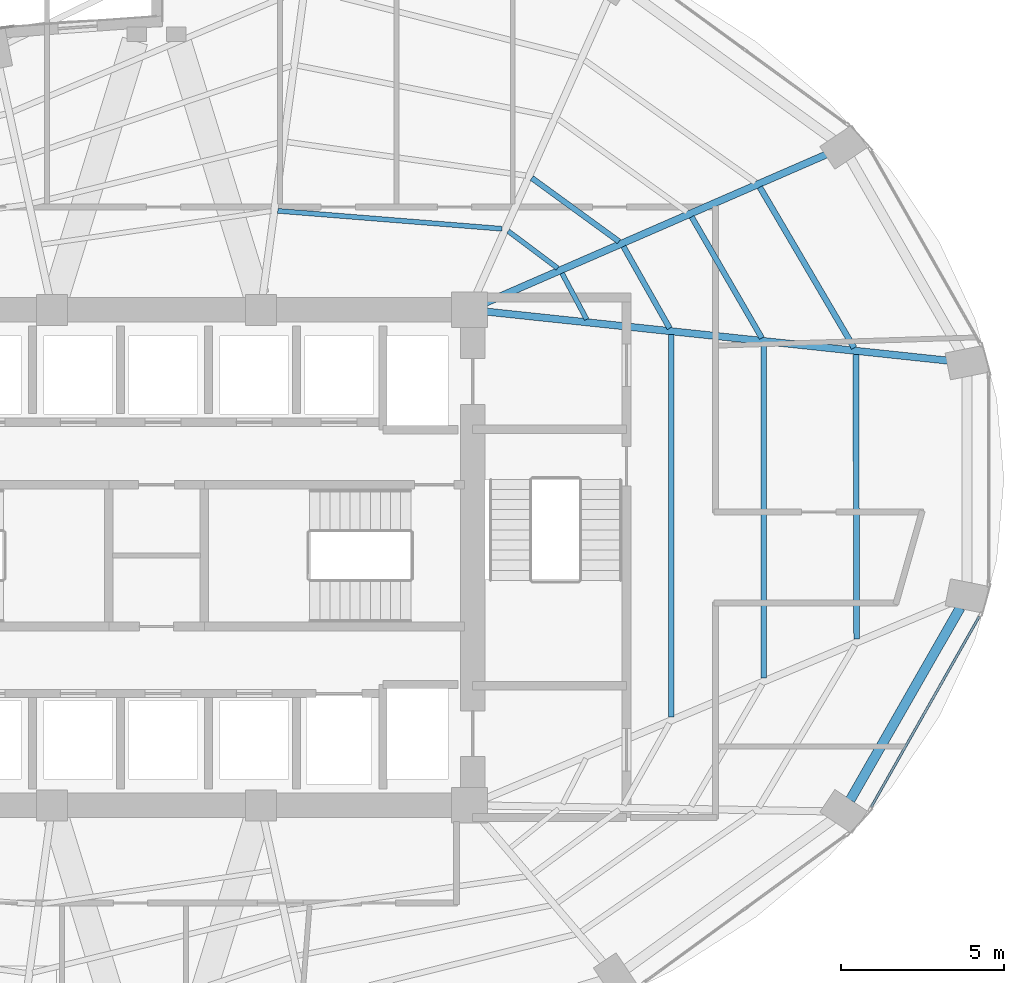
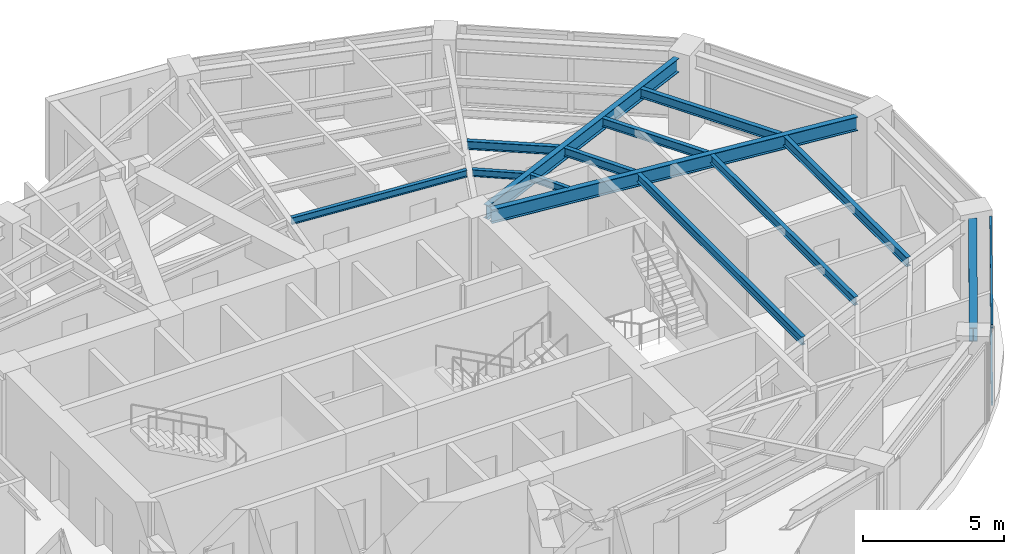
# One storey, part 12 of 23: 13 beams, 2 members, 1 element without a shape of its own.
"""IFC4 building model written with IfcOpenShell, lengths in metres."""

from ifc_helpers import new_model, si_unit, direction, frame, origin, origin_2d, place, context, subcontext, project, spatial, hollow_rectangle, i_section, extrude, material, layer, layer_set, material_profile, profile_set, type_object, element, aggregate, save


model = new_model("IFC4")

# Units and contexts
model_context = context("Model", 3, precision=1e-05, world=origin(), true_north=direction((0.0, 1.0)))
body_context = subcontext(model_context, "Body", "Model", "MODEL_VIEW")
ifc_project = project(units=[si_unit("LENGTHUNIT", "METRE"), si_unit("AREAUNIT", "SQUARE_METRE"), si_unit("VOLUMEUNIT", "CUBIC_METRE"), si_unit("PLANEANGLEUNIT", "RADIAN"), si_unit("MASSUNIT", "GRAM", prefix="KILO")], contexts=[model_context])

# Site, building, storey
site_placement = place(None, origin())
site = spatial("IfcSite", under=ifc_project, at=site_placement, CompositionType="ELEMENT")
building_placement = place(site_placement, origin())
building = spatial("IfcBuilding", under=site, at=building_placement, Name="Lazwardi Medical Tower", CompositionType="ELEMENT")
storey_placement = place(building_placement, frame((0.0, 0.0, 81.743896484375)))
storey = spatial("IfcBuildingStorey", under=building, at=storey_placement, Name="L20", CompositionType="ELEMENT", Elevation=81.743896484375)

# Beams
ifc_material_1 = material(Name="Steel S355", Category="steel")
ifc_material_profile_1 = material_profile(ifc_material_1, i_section(OverallWidth=0.300048828125, OverallDepth=0.60009765625, WebThickness=0.015380859375, FlangeThickness=0.030029296875, at=origin_2d()), Name="HEB 600")
ifc_profile_set_1 = profile_set([ifc_material_profile_1], Name="Steel S355")
beam_type_1 = type_object("IfcBeamType", Name="BM-RB-Z2", PredefinedType="BEAM", material=ifc_profile_set_1)
beam_1_placement = place(storey_placement, frame((57.281494140625, 20.561279296875, 3.128173828125), z_axis=(0.496653025517, 0.867949176072, 0.0), x_axis=(-0.867949176072, 0.496653025517, 0.0)))
element("IfcBeam", 1, at=beam_1_placement, inside=storey, type_object=beam_type_1, Name="Ring beam RB-03 B03 L20", PredefinedType="BEAM", context=body_context, shape_type="SweptSolid", body=[
    extrude(i_section(OverallWidth=0.300048828125, OverallDepth=0.60009765625, WebThickness=0.015380859375, FlangeThickness=0.030029296875, at=origin_2d()), origin(), (0.0, 0.0, 1.0), 6.80078125),
])
ifc_material_profile_2 = material_profile(ifc_material_1, i_section(OverallWidth=0.219970703125, OverallDepth=0.60009765625, WebThickness=0.011962890625, FlangeThickness=0.01904296875, at=origin_2d()), Name="IPE 600")
ifc_profile_set_2 = profile_set([ifc_material_profile_2], Name="Steel S355")
beam_type_2 = type_object("IfcBeamType", Name="BM-RG-W1", PredefinedType="BEAM", material=ifc_profile_set_2)
beam_2_placement = place(storey_placement, frame((60.2861328125, 34.041015625, 3.128173828125), z_axis=(-0.994413340753, 0.10555618282, 0.0), x_axis=(-0.10555618282, -0.994413340753, 0.0)))
element("IfcBeam", 2, at=beam_2_placement, inside=storey, type_object=beam_type_2, Name="Radial girder RG-02 R05 L20", PredefinedType="BEAM", context=body_context, shape_type="SweptSolid", body=[
    extrude(i_section(OverallWidth=0.219970703125, OverallDepth=0.60009765625, WebThickness=0.011962890625, FlangeThickness=0.01904296875, at=origin_2d()), origin(), (0.0, 0.0, 1.0), 14.233642578125),
])
beam_3_placement = place(storey_placement, frame((56.5458984375, 40.36328125, 3.128173828125), z_axis=(-0.916941336121, -0.399022037127, 0.0), x_axis=(0.399022037127, -0.916941336121, 0.0)))
element("IfcBeam", 3, at=beam_3_placement, inside=storey, type_object=beam_type_2, Name="Radial girder RG-02 R06 L20", PredefinedType="BEAM", context=body_context, shape_type="SweptSolid", body=[
    extrude(i_section(OverallWidth=0.219970703125, OverallDepth=0.60009765625, WebThickness=0.011962890625, FlangeThickness=0.01904296875, at=origin_2d()), origin(), (0.0, 0.0, 1.0), 11.40234375),
])
ifc_material_profile_3 = material_profile(ifc_material_1, i_section(OverallWidth=0.179931640625, OverallDepth=0.39990234375, WebThickness=0.008544921875, FlangeThickness=0.013427734375, at=origin_2d()), Name="IPE 400")
ifc_profile_set_3 = profile_set([ifc_material_profile_3], Name="Steel S355")
beam_type_3 = type_object("IfcBeamType", Name="BM-SJ-01", PredefinedType="JOIST", material=ifc_profile_set_3)
beam_4_placement = place(storey_placement, frame((57.48095703125, 25.502685546875, 3.22802734375), z_axis=(-0.002907126978, 0.999995774297, 0.0), x_axis=(-0.999995774297, -0.002907126978, 0.0)))
element("IfcBeam", 4, at=beam_4_placement, inside=storey, type_object=beam_type_3, Name="Secondary joist SJ-01 R1 B04 L20", PredefinedType="JOIST", context=body_context, shape_type="SweptSolid", body=[
    extrude(i_section(OverallWidth=0.179931640625, OverallDepth=0.39990234375, WebThickness=0.008544921875, FlangeThickness=0.013427734375, at=origin_2d()), origin(), (0.0, 0.0, 1.0), 8.73388671875),
])
beam_5_placement = place(storey_placement, frame((57.402099609375, 34.43212890625, 3.22802734375), z_axis=(-0.506195045201, 0.862419025888, 0.0), x_axis=(-0.862419025888, -0.506195045201, 0.0)))
element("IfcBeam", 5, at=beam_5_placement, inside=storey, type_object=beam_type_3, Name="Secondary joist SJ-01 R1 B05 L20", PredefinedType="JOIST", context=body_context, shape_type="SweptSolid", body=[
    extrude(i_section(OverallWidth=0.179931640625, OverallDepth=0.39990234375, WebThickness=0.008544921875, FlangeThickness=0.013427734375, at=origin_2d()), origin(), (0.0, 0.0, 1.0), 5.71728515625),
])
ifc_material_profile_4 = material_profile(ifc_material_1, i_section(OverallWidth=0.169921875, OverallDepth=0.360107421875, WebThickness=0.008056640625, FlangeThickness=0.0126953125, at=origin_2d()), Name="IPE 360")
ifc_profile_set_4 = profile_set([ifc_material_profile_4], Name="Steel S355")
beam_type_4 = type_object("IfcBeamType", Name="BM-SJ-02", PredefinedType="JOIST", material=ifc_profile_set_4)
beam_6_placement = place(storey_placement, frame((54.634033203125, 24.30517578125, 3.248046875), z_axis=(-0.000930565095, 0.999999567024, 0.0), x_axis=(-0.999999567024, -0.000930565095, 0.0)))
element("IfcBeam", 6, at=beam_6_placement, inside=storey, type_object=beam_type_4, Name="Secondary joist SJ-02 R2 B04 L20", PredefinedType="JOIST", context=body_context, shape_type="SweptSolid", body=[
    extrude(i_section(OverallWidth=0.169921875, OverallDepth=0.360107421875, WebThickness=0.008056640625, FlangeThickness=0.0126953125, at=origin_2d()), origin(), (0.0, 0.0, 1.0), 10.23193359375),
])
beam_7_placement = place(storey_placement, frame((54.57177734375, 34.73291015625, 3.248046875), z_axis=(-0.501365325212, 0.865235696602, 0.0), x_axis=(-0.865235696602, -0.501365325212, 0.0)))
element("IfcBeam", 7, at=beam_7_placement, inside=storey, type_object=beam_type_4, Name="Secondary joist SJ-02 R2 B05 L20", PredefinedType="JOIST", context=body_context, shape_type="SweptSolid", body=[
    extrude(i_section(OverallWidth=0.169921875, OverallDepth=0.360107421875, WebThickness=0.008056640625, FlangeThickness=0.0126953125, at=origin_2d()), origin(), (0.0, 0.0, 1.0), 4.298828125),
])
beam_8_placement = place(storey_placement, frame((51.787109375, 23.107421875, 3.248046875), z_axis=(0.000561961365, 0.9999998421, 0.0), x_axis=(-0.9999998421, 0.000561961365, 0.0)))
element("IfcBeam", 8, at=beam_8_placement, inside=storey, type_object=beam_type_4, Name="Secondary joist SJ-02 R3 B04 L20", PredefinedType="JOIST", context=body_context, shape_type="SweptSolid", body=[
    extrude(i_section(OverallWidth=0.169921875, OverallDepth=0.360107421875, WebThickness=0.008056640625, FlangeThickness=0.0126953125, at=origin_2d()), origin(), (0.0, 0.0, 1.0), 11.72998046875),
])
beam_9_placement = place(storey_placement, frame((51.741943359375, 35.033935546875, 3.248046875), z_axis=(-0.492026539517, 0.870580199873, 0.0), x_axis=(-0.870580199873, -0.492026539517, 0.0)))
element("IfcBeam", 9, at=beam_9_placement, inside=storey, type_object=beam_type_4, Name="Secondary joist SJ-02 R3 B05 L20", PredefinedType="JOIST", context=body_context, shape_type="SweptSolid", body=[
    extrude(i_section(OverallWidth=0.169921875, OverallDepth=0.360107421875, WebThickness=0.008056640625, FlangeThickness=0.0126953125, at=origin_2d()), origin(), (0.0, 0.0, 1.0), 2.880859375),
])
beam_10_placement = place(storey_placement, frame((50.18798828125, 37.6953125, 3.248046875), z_axis=(-0.808301737247, 0.588768461761, 0.0), x_axis=(-0.588768461761, -0.808301737247, 0.0)))
element("IfcBeam", 10, at=beam_10_placement, inside=storey, type_object=beam_type_4, Name="Secondary joist SJ-02 R3 B06 L20", PredefinedType="JOIST", context=body_context, shape_type="SweptSolid", body=[
    extrude(i_section(OverallWidth=0.169921875, OverallDepth=0.360107421875, WebThickness=0.008056640625, FlangeThickness=0.0126953125, at=origin_2d()), origin(), (0.0, 0.0, 1.0), 3.307373046875),
])
ifc_material_profile_5 = material_profile(ifc_material_1, i_section(OverallWidth=0.14990234375, OverallDepth=0.300048828125, WebThickness=0.007080078125, FlangeThickness=0.0107421875, at=origin_2d()), Name="IPE 300")
ifc_profile_set_5 = profile_set([ifc_material_profile_5], Name="Steel S355")
beam_type_5 = type_object("IfcBeamType", Name="BM-SJ-03", PredefinedType="JOIST", material=ifc_profile_set_5)
beam_11_placement = place(storey_placement, frame((49.1962890625, 35.3056640625, 3.278076171875), z_axis=(-0.471022344925, 0.882121278839, 0.0), x_axis=(-0.882121278839, -0.471022344925, 0.0)))
element("IfcBeam", 11, at=beam_11_placement, inside=storey, type_object=beam_type_5, Name="Secondary joist SJ-03 R4 B05 L20", PredefinedType="JOIST", context=body_context, shape_type="SweptSolid", body=[
    extrude(i_section(OverallWidth=0.14990234375, OverallDepth=0.300048828125, WebThickness=0.007080078125, FlangeThickness=0.0107421875, at=origin_2d()), origin(), (0.0, 0.0, 1.0), 1.605224609375),
])
beam_12_placement = place(storey_placement, frame((48.306640625, 36.87744140625, 3.278076171875), z_axis=(-0.800447687995, 0.599402618265, 0.0), x_axis=(-0.599402618265, -0.800447687995, 0.0)))
element("IfcBeam", 12, at=beam_12_placement, inside=storey, type_object=beam_type_5, Name="Secondary joist SJ-03 R4 B06 L20", PredefinedType="JOIST", context=body_context, shape_type="SweptSolid", body=[
    extrude(i_section(OverallWidth=0.14990234375, OverallDepth=0.300048828125, WebThickness=0.007080078125, FlangeThickness=0.0107421875, at=origin_2d()), origin(), (0.0, 0.0, 1.0), 1.896728515625),
])
beam_13_placement = place(storey_placement, frame((46.599609375, 38.085693359375, 3.278076171875), z_axis=(-0.996816178299, 0.079733974445, 0.0), x_axis=(-0.079733974445, -0.996816178299, 0.0)))
element("IfcBeam", 13, at=beam_13_placement, inside=storey, type_object=beam_type_5, Name="Secondary joist SJ-03 R4 B07 L20", PredefinedType="JOIST", context=body_context, shape_type="SweptSolid", body=[
    extrude(i_section(OverallWidth=0.14990234375, OverallDepth=0.300048828125, WebThickness=0.007080078125, FlangeThickness=0.0107421875, at=origin_2d()), origin(), (0.0, 0.0, 1.0), 6.901611328125),
])

# Curtain wall, members
ifc_material_2 = material(Name="Anodised bronze aluminium and solar control glazing", Category="aluminium")
ifc_layer = layer(ifc_material_2, 0.195068359375)
ifc_layer_set = layer_set([ifc_layer], Name="Anodised bronze aluminium and solar control glazing")
curtain_wall_type = type_object("IfcCurtainWallType", Name="CW-SYS-03", PredefinedType="NOTDEFINED", material=ifc_layer_set)
curtain_wall_placement = place(storey_placement, origin())
curtain_wall = element("IfcCurtainWall", 14, at=curtain_wall_placement, inside=storey, type_object=curtain_wall_type, Name="L20 Unitised bronze curtain wall CW-03", PredefinedType="NOTDEFINED")
ifc_material_3 = material(Name="Anodised bronze aluminium", Category="aluminium")
ifc_material_profile_6 = material_profile(ifc_material_3, hollow_rectangle(XDim=0.074951171875, YDim=0.159912109375, WallThickness=0.00390625, at=origin_2d()), Name="ALU-TRANSOM 160x75x4")
ifc_profile_set_6 = profile_set([ifc_material_profile_6], Name="Anodised bronze aluminium")
member_type = type_object("IfcMemberType", Name="CW-TRN-01", PredefinedType="USERDEFINED", material=ifc_profile_set_6)
member_1_placement = place(storey_placement, frame((57.925537109375, 20.3466796875, 0.03759765625), z_axis=(0.493614427365, 0.869680859337, 0.0), x_axis=(-0.869680859337, 0.493614427365, 0.0)))
member_1 = element("IfcMember", 15, at=member_1_placement, type_object=member_type, Name="CW-03 transom 1.1", ObjectType="TRANSOM", PredefinedType="USERDEFINED", context=body_context, shape_type="SweptSolid", body=[
    extrude(hollow_rectangle(XDim=0.074951171875, YDim=0.159912109375, WallThickness=0.00390625, at=origin_2d()), origin(), (0.0, 0.0, 1.0), 6.72314453125),
])
member_2_placement = place(storey_placement, frame((57.925537109375, 20.3466796875, 3.390625), z_axis=(0.493614427365, 0.869680859337, 0.0), x_axis=(-0.869680859337, 0.493614427365, 0.0)))
member_2 = element("IfcMember", 16, at=member_2_placement, type_object=member_type, Name="CW-03 transom 1.2", ObjectType="TRANSOM", PredefinedType="USERDEFINED", context=body_context, shape_type="SweptSolid", body=[
    extrude(hollow_rectangle(XDim=0.074951171875, YDim=0.159912109375, WallThickness=0.00390625, at=origin_2d()), origin(), (0.0, 0.0, 1.0), 6.72314453125),
])
aggregate(curtain_wall, [member_1, member_2])

save(model, "model.ifc")
